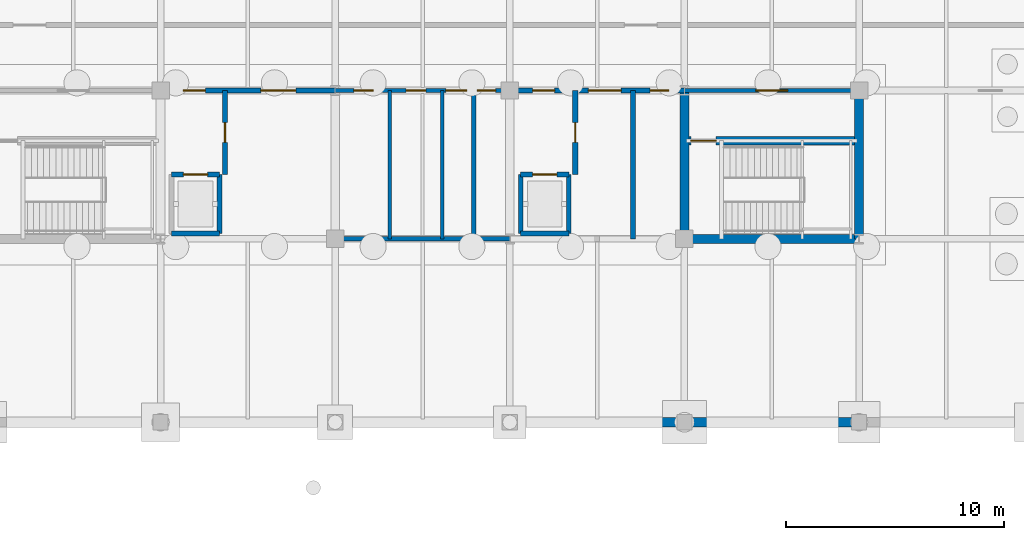
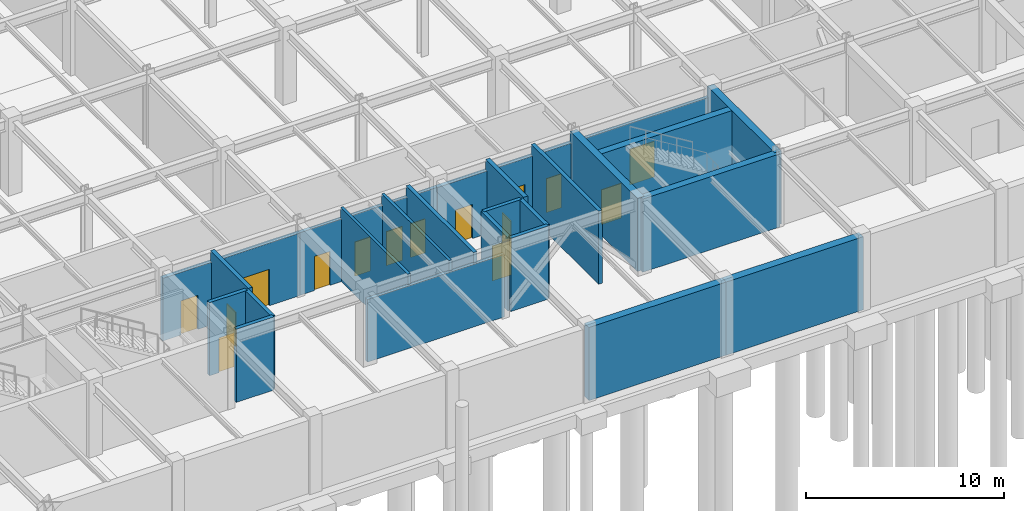
# One storey, part 40 of 53: 24 walls, 15 doors, 15 openings.
"""IFC4 building model written with IfcOpenShell, lengths in metres."""

from ifc_helpers import new_model, si_unit, direction, frame, frame_2d, origin, place, context, subcontext, project, spatial, rectangle, extrude, material, layer, layer_set, type_object, element, fill, save


model = new_model("IFC4")

# Units and contexts
model_context = context("Model", 3, precision=1e-05, world=origin(), true_north=direction((0.0, 1.0)))
body_context = subcontext(model_context, "Body", "Model", "MODEL_VIEW")
ifc_project = project(units=[si_unit("LENGTHUNIT", "METRE"), si_unit("AREAUNIT", "SQUARE_METRE"), si_unit("VOLUMEUNIT", "CUBIC_METRE"), si_unit("PLANEANGLEUNIT", "RADIAN"), si_unit("MASSUNIT", "GRAM", prefix="KILO")], contexts=[model_context])

# Site, building, storey
site_placement = place(None, origin())
site = spatial("IfcSite", under=ifc_project, at=site_placement, CompositionType="ELEMENT")
building_placement = place(site_placement, origin())
building = spatial("IfcBuilding", under=site, at=building_placement, Name="Shalkamar Park Central Library", CompositionType="ELEMENT")
storey_placement = place(building_placement, frame((0.0, 0.0, -4.800048828125)))
storey = spatial("IfcBuildingStorey", under=building, at=storey_placement, Name="B1", CompositionType="ELEMENT", Elevation=-4.800048828125)

# Walls
ifc_material_1 = material(Name="Concrete C40/50", Category="concrete")
ifc_layer_1 = layer(ifc_material_1, 0.449951171875)
ifc_layer_set_1 = layer_set([ifc_layer_1], Name="Concrete C40/50")
wall_type_1 = type_object("IfcWallType", Name="Basement Retaining Shear Wall 450", PredefinedType="SHEAR", material=ifc_layer_set_1)
for number, where, z_axis, x_axis, name in (
    (1, (189.0, 240.0, 0.0), (0.0, 0.0, 1.0), (1.0, 0.0, 0.0), "Basement Retaining Wall S-10"),
    (2, (197.0, 240.0, 0.0), (0.0, 0.0, 1.0), (1.0, 0.0, 0.0), "Basement Retaining Wall S-11"),
):
    element("IfcWall", number, at=place(storey_placement, frame(where, z_axis=z_axis, x_axis=x_axis)), inside=storey, type_object=wall_type_1, Name=name, PredefinedType="SHEAR", context=body_context, shape_type="SweptSolid", body=[
        extrude(rectangle(XDim=8.0, YDim=0.449951171875, at=frame_2d((4.0, 0.0))), origin(), (0.0, 0.0, 1.0), 4.510009765625),
    ])

# Wall, opening, door
ifc_material_2 = material(Name="Reinforced fire-compartment masonry wall", Category="masonry")
ifc_layer_2 = layer(ifc_material_2, 0.239990234375)
ifc_layer_set_2 = layer_set([ifc_layer_2], Name="CompartmentWall_240")
wall_type_2 = type_object("IfcWallType", Name="Compartment Wall 240", PredefinedType="PARTITIONING", material=ifc_layer_set_2)
wall_1_placement = place(storey_placement, frame((175.949951171875, 251.35009765625, 0.0), z_axis=(0.0, 0.0, 1.0), x_axis=(0.0, 1.0, 0.0)))
wall_1 = element("IfcWall", 3, at=wall_1_placement, inside=storey, type_object=wall_type_2, Name="Interior Partition WL-INT-B1-001", PredefinedType="PARTITIONING", context=body_context, shape_type="SweptSolid", body=[
    extrude(rectangle(XDim=3.849853515625, YDim=0.239990234375, at=frame_2d((1.9248046875, 0.0))), origin(), (0.0, 0.0, 1.0), 4.510009765625),
])
opening_1_placement = place(wall_1_placement, frame((1.47509765625, 0.0, 0.0)))
opening_1 = element("IfcOpeningElement", 4, at=opening_1_placement, cuts=wall_1, Name="Opening DR-B1-001", PredefinedType="OPENING", context=body_context, shape_type="SweptSolid", body=[
    extrude(rectangle(XDim=0.89990234375, YDim=2.10009765625, at=frame_2d((0.449951171875, 1.050048828125))), frame((0.0, 0.134765625, 0.0), z_axis=(0.0, -1.0, 0.0), x_axis=(1.0, 0.0, 0.0)), (0.0, 0.0, 1.0), 0.269775390625),
])
ifc_material_3 = material(Name="Steel S355", Category="steel")
door_type_1 = type_object("IfcDoorType", Name="Fire Door Single 900x2100", OperationType="NOTDEFINED", PredefinedType="DOOR", material=ifc_material_3)
door_1_placement = place(opening_1_placement, origin())
door_1 = element("IfcDoor", 5, at=door_1_placement, inside=storey, type_object=door_type_1, Name="Fire Lobby Interconnect Door", OperationType="SINGLE_SWING_LEFT", OverallHeight=2.10009765625, OverallWidth=0.89990234375, PredefinedType="DOOR", context=body_context, shape_type="SweptSolid", body=[
    extrude(rectangle(XDim=0.89990234375, YDim=2.10009765625, at=frame_2d((0.449951171875, 1.050048828125))), frame((0.0, 0.02490234375, 0.0), z_axis=(0.0, -1.0, 0.0), x_axis=(1.0, 0.0, 0.0)), (0.0, 0.0, 1.0), 0.050048828125),
])
fill(opening_1, door_1)

wall_2_placement = place(storey_placement, frame((192.0, 251.35009765625, 0.0), z_axis=(0.0, 0.0, 1.0), x_axis=(0.0, 1.0, 0.0)))
wall_2 = element("IfcWall", 6, at=wall_2_placement, inside=storey, type_object=wall_type_2, Name="Interior Partition WL-INT-B1-002", PredefinedType="PARTITIONING", context=body_context, shape_type="SweptSolid", body=[
    extrude(rectangle(XDim=3.849853515625, YDim=0.239990234375, at=frame_2d((1.9248046875, 0.0))), origin(), (0.0, 0.0, 1.0), 4.510009765625),
])
opening_2_placement = place(wall_2_placement, frame((1.47509765625, 0.0, 0.0)))
opening_2 = element("IfcOpeningElement", 7, at=opening_2_placement, cuts=wall_2, Name="Opening DR-B1-002", PredefinedType="OPENING", context=body_context, shape_type="SweptSolid", body=[
    extrude(rectangle(XDim=0.89990234375, YDim=2.10009765625, at=frame_2d((0.449951171875, 1.050048828125))), frame((0.0, 0.134765625, 0.0), z_axis=(0.0, -1.0, 0.0), x_axis=(1.0, 0.0, 0.0)), (0.0, 0.0, 1.0), 0.269775390625),
])
door_2_placement = place(opening_2_placement, frame((0.89990234375, 0.0, 0.0), z_axis=(0.0, 0.0, 1.0), x_axis=(-1.0, 0.0, 0.0)))
door_2 = element("IfcDoor", 8, at=door_2_placement, inside=storey, type_object=door_type_1, Name="Fire Lobby Interconnect Door", OperationType="SINGLE_SWING_LEFT", OverallHeight=2.10009765625, OverallWidth=0.89990234375, PredefinedType="DOOR", context=body_context, shape_type="SweptSolid", body=[
    extrude(rectangle(XDim=0.89990234375, YDim=2.10009765625, at=frame_2d((0.449951171875, 1.050048828125))), frame((0.0, 0.02490234375, 0.0), z_axis=(0.0, -1.0, 0.0), x_axis=(1.0, 0.0, 0.0)), (0.0, 0.0, 1.0), 0.050048828125),
])
fill(opening_2, door_2)

# Wall, openings, doors
wall_3_placement = place(storey_placement, frame((173.0, 255.199951171875, 0.0), z_axis=(0.0, 0.0, 1.0), x_axis=(1.0, 0.0, 0.0)))
wall_3 = element("IfcWall", 9, at=wall_3_placement, inside=storey, type_object=wall_type_2, Name="Interior Partition WL-INT-B1-008", PredefinedType="PARTITIONING", context=body_context, shape_type="SweptSolid", body=[
    extrude(rectangle(XDim=8.0, YDim=0.239990234375, at=frame_2d((4.0, 0.0))), origin(), (0.0, 0.0, 1.0), 3.858154296875),
])
opening_3_placement = place(wall_3_placement, frame((1.050048828125, 0.0, 0.0)))
opening_3 = element("IfcOpeningElement", 10, at=opening_3_placement, cuts=wall_3, Name="Opening DR-B1-003", PredefinedType="OPENING", context=body_context, shape_type="SweptSolid", body=[
    extrude(rectangle(XDim=1.0, YDim=2.10009765625, at=frame_2d((0.5, 1.050048828125))), frame((0.0, 0.134765625, 0.0), z_axis=(0.0, -1.0, 0.0), x_axis=(1.0, 0.0, 0.0)), (0.0, 0.0, 1.0), 0.269775390625),
])
opening_4_placement = place(wall_3_placement, frame((4.60009765625, 0.0, 0.0)))
opening_4 = element("IfcOpeningElement", 11, at=opening_4_placement, cuts=wall_3, Name="Opening DR-B1-004", PredefinedType="OPENING", context=body_context, shape_type="SweptSolid", body=[
    extrude(rectangle(XDim=1.60009765625, YDim=2.25, at=frame_2d((0.800048828125, 1.125))), frame((0.0, 0.134765625, 0.0), z_axis=(0.0, -1.0, 0.0), x_axis=(1.0, 0.0, 0.0)), (0.0, 0.0, 1.0), 0.269775390625),
])
door_type_2 = type_object("IfcDoorType", Name="Fire Door Single 1000x2100", OperationType="NOTDEFINED", PredefinedType="DOOR", material=ifc_material_3)
door_3_placement = place(opening_3_placement, origin())
door_3 = element("IfcDoor", 12, at=door_3_placement, inside=storey, type_object=door_type_2, Name="West Firefighting Lobby Door", OperationType="SINGLE_SWING_LEFT", OverallHeight=2.10009765625, OverallWidth=1.0, PredefinedType="DOOR", context=body_context, shape_type="SweptSolid", body=[
    extrude(rectangle(XDim=1.0, YDim=2.10009765625, at=frame_2d((0.5, 1.050048828125))), frame((0.0, 0.02490234375, 0.0), z_axis=(0.0, -1.0, 0.0), x_axis=(1.0, 0.0, 0.0)), (0.0, 0.0, 1.0), 0.050048828125),
])
fill(opening_3, door_3)
door_type_3 = type_object("IfcDoorType", Name="Interior Door Double 1600x2250", OperationType="DOUBLE_DOOR_SINGLE_SWING", PredefinedType="DOOR", material=ifc_material_3)
door_4_placement = place(opening_4_placement, frame((1.60009765625, 0.0, 0.0), z_axis=(0.0, 0.0, 1.0), x_axis=(-1.0, 0.0, 0.0)))
door_4 = element("IfcDoor", 13, at=door_4_placement, inside=storey, type_object=door_type_3, Name="West Lift Lobby Entrance", OperationType="DOUBLE_DOOR_SINGLE_SWING", OverallHeight=2.25, OverallWidth=1.60009765625, PredefinedType="DOOR", context=body_context, shape_type="SweptSolid", body=[
    extrude(rectangle(XDim=1.60009765625, YDim=2.25, at=frame_2d((0.800048828125, 1.125))), frame((0.0, 0.02490234375, 0.0), z_axis=(0.0, -1.0, 0.0), x_axis=(1.0, 0.0, 0.0)), (0.0, 0.0, 1.0), 0.050048828125),
])
fill(opening_4, door_4)

wall_4_placement = place(storey_placement, frame((189.0, 255.199951171875, 0.0), z_axis=(0.0, 0.0, 1.0), x_axis=(1.0, 0.0, 0.0)))
wall_4 = element("IfcWall", 14, at=wall_4_placement, inside=storey, type_object=wall_type_2, Name="Interior Partition WL-INT-B1-010", PredefinedType="PARTITIONING", context=body_context, shape_type="SweptSolid", body=[
    extrude(rectangle(XDim=8.0, YDim=0.239990234375, at=frame_2d((4.0, 0.0))), origin(), (0.0, 0.0, 1.0), 3.858154296875),
])
opening_5_placement = place(wall_4_placement, frame((1.050048828125, 0.0, 0.0)))
opening_5 = element("IfcOpeningElement", 15, at=opening_5_placement, cuts=wall_4, Name="Opening DR-B1-009", PredefinedType="OPENING", context=body_context, shape_type="SweptSolid", body=[
    extrude(rectangle(XDim=1.0, YDim=2.10009765625, at=frame_2d((0.5, 1.050048828125))), frame((0.0, 0.134765625, 0.0), z_axis=(0.0, -1.0, 0.0), x_axis=(1.0, 0.0, 0.0)), (0.0, 0.0, 1.0), 0.269775390625),
])
opening_6_placement = place(wall_4_placement, frame((3.60009765625, 0.0, 0.0)))
opening_6 = element("IfcOpeningElement", 16, at=opening_6_placement, cuts=wall_4, Name="Opening DR-B1-010", PredefinedType="OPENING", context=body_context, shape_type="SweptSolid", body=[
    extrude(rectangle(XDim=1.5, YDim=2.25, at=frame_2d((0.75, 1.125))), frame((0.0, 0.134765625, 0.0), z_axis=(0.0, -1.0, 0.0), x_axis=(1.0, 0.0, 0.0)), (0.0, 0.0, 1.0), 0.269775390625),
])
opening_7_placement = place(wall_4_placement, frame((6.425048828125, 0.0, 0.0)))
opening_7 = element("IfcOpeningElement", 17, at=opening_7_placement, cuts=wall_4, Name="Opening DR-B1-011", PredefinedType="OPENING", context=body_context, shape_type="SweptSolid", body=[
    extrude(rectangle(XDim=0.85009765625, YDim=2.10009765625, at=frame_2d((0.425048828125, 1.050048828125))), frame((0.0, 0.134765625, 0.0), z_axis=(0.0, -1.0, 0.0), x_axis=(1.0, 0.0, 0.0)), (0.0, 0.0, 1.0), 0.269775390625),
])
door_type_4 = type_object("IfcDoorType", Name="Fire Door Riser 850x2100", OperationType="NOTDEFINED", PredefinedType="DOOR", material=ifc_material_3)
door_5_placement = place(opening_7_placement, frame((0.85009765625, 0.0, 0.0), z_axis=(0.0, 0.0, 1.0), x_axis=(-1.0, 0.0, 0.0)))
door_5 = element("IfcDoor", 18, at=door_5_placement, inside=storey, type_object=door_type_4, Name="Mechanical Riser Access Door", OperationType="SINGLE_SWING_LEFT", OverallHeight=2.10009765625, OverallWidth=0.85009765625, PredefinedType="DOOR", context=body_context, shape_type="SweptSolid", body=[
    extrude(rectangle(XDim=0.85009765625, YDim=2.10009765625, at=frame_2d((0.425048828125, 1.050048828125))), frame((0.0, 0.02490234375, 0.0), z_axis=(0.0, -1.0, 0.0), x_axis=(1.0, 0.0, 0.0)), (0.0, 0.0, 1.0), 0.050048828125),
])
fill(opening_7, door_5)
door_6_placement = place(opening_5_placement, origin())
door_6 = element("IfcDoor", 19, at=door_6_placement, inside=storey, type_object=door_type_2, Name="East Firefighting Lobby Door", OperationType="SINGLE_SWING_LEFT", OverallHeight=2.10009765625, OverallWidth=1.0, PredefinedType="DOOR", context=body_context, shape_type="SweptSolid", body=[
    extrude(rectangle(XDim=1.0, YDim=2.10009765625, at=frame_2d((0.5, 1.050048828125))), frame((0.0, 0.02490234375, 0.0), z_axis=(0.0, -1.0, 0.0), x_axis=(1.0, 0.0, 0.0)), (0.0, 0.0, 1.0), 0.050048828125),
])
fill(opening_5, door_6)
door_type_5 = type_object("IfcDoorType", Name="Interior Door Double 1500x2250", OperationType="DOUBLE_DOOR_SINGLE_SWING", PredefinedType="DOOR", material=ifc_material_3)
door_7_placement = place(opening_6_placement, origin())
door_7 = element("IfcDoor", 20, at=door_7_placement, inside=storey, type_object=door_type_5, Name="East Lift Lobby Entrance", OperationType="DOUBLE_DOOR_SINGLE_SWING", OverallHeight=2.25, OverallWidth=1.5, PredefinedType="DOOR", context=body_context, shape_type="SweptSolid", body=[
    extrude(rectangle(XDim=1.5, YDim=2.25, at=frame_2d((0.75, 1.125))), frame((0.0, 0.02490234375, 0.0), z_axis=(0.0, -1.0, 0.0), x_axis=(1.0, 0.0, 0.0)), (0.0, 0.0, 1.0), 0.050048828125),
])
fill(opening_6, door_7)

# Wall, opening, door
ifc_material_4 = material(Name="Fire-rated corridor partition wall", Category="masonry")
ifc_layer_3 = layer(ifc_material_4, 0.199951171875)
ifc_layer_set_3 = layer_set([ifc_layer_3], Name="CorridorFireWall_200")
wall_type_3 = type_object("IfcWallType", Name="Corridor Fire Wall 200", PredefinedType="PARTITIONING", material=ifc_layer_set_3)
wall_5_placement = place(storey_placement, frame((197.0, 255.199951171875, 0.0), z_axis=(0.0, 0.0, 1.0), x_axis=(1.0, 0.0, 0.0)))
wall_5 = element("IfcWall", 21, at=wall_5_placement, inside=storey, type_object=wall_type_3, Name="CORE-T2 Vestibule North Wall (B1)", PredefinedType="PARTITIONING", context=body_context, shape_type="SweptSolid", body=[
    extrude(rectangle(XDim=8.0, YDim=0.199951171875, at=frame_2d((4.0, 0.0))), origin(), (0.0, 0.0, 1.0), 3.858154296875),
])
opening_8_placement = place(wall_5_placement, frame((3.27490234375, 0.0, 0.0)))
opening_8 = element("IfcOpeningElement", 22, at=opening_8_placement, cuts=wall_5, Name="Opening DR-ST-T2-B1-VEST", PredefinedType="OPENING", context=body_context, shape_type="SweptSolid", body=[
    extrude(rectangle(XDim=1.449951171875, YDim=2.199951171875, at=frame_2d((0.72509765625, 1.10009765625))), frame((0.0, 0.11474609375, 0.0), z_axis=(0.0, -1.0, 0.0), x_axis=(1.0, 0.0, 0.0)), (0.0, 0.0, 1.0), 0.229736328125),
])
door_type_6 = type_object("IfcDoorType", Name="Stair Vestibule Door 1450x2200", OperationType="DOUBLE_DOOR_SINGLE_SWING", PredefinedType="DOOR", material=ifc_material_3)
door_8_placement = place(opening_8_placement, frame((1.449951171875, 0.0, 0.0), z_axis=(0.0, 0.0, 1.0), x_axis=(-1.0, 0.0, 0.0)))
door_8 = element("IfcDoor", 23, at=door_8_placement, inside=storey, type_object=door_type_6, Name="Protected Stair ST-T2 Vestibule Door (B1)", OperationType="DOUBLE_DOOR_SINGLE_SWING", OverallHeight=2.199951171875, OverallWidth=1.449951171875, PredefinedType="DOOR", context=body_context, shape_type="SweptSolid", body=[
    extrude(rectangle(XDim=1.449951171875, YDim=2.199951171875, at=frame_2d((0.72509765625, 1.10009765625))), frame((0.0, 0.02490234375, 0.0), z_axis=(0.0, -1.0, 0.0), x_axis=(1.0, 0.0, 0.0)), (0.0, 0.0, 1.0), 0.050048828125),
])
fill(opening_8, door_8)

# Wall
wall_6_placement = place(storey_placement, frame((181.0, 248.39990234375, 0.0), z_axis=(0.0, 0.0, 1.0), x_axis=(1.0, 0.0, 0.0)))
element("IfcWall", 24, at=wall_6_placement, inside=storey, type_object=wall_type_3, Name="Interior Partition WL-INT-B1-007", PredefinedType="PARTITIONING", context=body_context, shape_type="SweptSolid", body=[
    extrude(rectangle(XDim=8.0, YDim=0.199951171875, at=frame_2d((4.0, 0.0))), origin(), (0.0, 0.0, 1.0), 3.858154296875),
])

# Wall, openings, doors
wall_7_placement = place(storey_placement, frame((181.0, 255.199951171875, 0.0), z_axis=(0.0, 0.0, 1.0), x_axis=(1.0, 0.0, 0.0)))
wall_7 = element("IfcWall", 25, at=wall_7_placement, inside=storey, type_object=wall_type_3, Name="Interior Partition WL-INT-B1-009", PredefinedType="PARTITIONING", context=body_context, shape_type="SweptSolid", body=[
    extrude(rectangle(XDim=8.0, YDim=0.199951171875, at=frame_2d((4.0, 0.0))), origin(), (0.0, 0.0, 1.0), 3.858154296875),
])
opening_9_placement = place(wall_7_placement, frame((0.85009765625, 0.0, 0.0)))
opening_9 = element("IfcOpeningElement", 26, at=opening_9_placement, cuts=wall_7, Name="Opening DR-B1-005", PredefinedType="OPENING", context=body_context, shape_type="SweptSolid", body=[
    extrude(rectangle(XDim=0.89990234375, YDim=2.10009765625, at=frame_2d((0.449951171875, 1.050048828125))), frame((0.0, 0.11474609375, 0.0), z_axis=(0.0, -1.0, 0.0), x_axis=(1.0, 0.0, 0.0)), (0.0, 0.0, 1.0), 0.229736328125),
])
opening_10_placement = place(wall_7_placement, frame((3.25, 0.0, 0.0)))
opening_10 = element("IfcOpeningElement", 27, at=opening_10_placement, cuts=wall_7, Name="Opening DR-B1-006", PredefinedType="OPENING", context=body_context, shape_type="SweptSolid", body=[
    extrude(rectangle(XDim=0.89990234375, YDim=2.10009765625, at=frame_2d((0.449951171875, 1.050048828125))), frame((0.0, 0.11474609375, 0.0), z_axis=(0.0, -1.0, 0.0), x_axis=(1.0, 0.0, 0.0)), (0.0, 0.0, 1.0), 0.229736328125),
])
opening_11_placement = place(wall_7_placement, frame((5.074951171875, 0.0, 0.0)))
opening_11 = element("IfcOpeningElement", 28, at=opening_11_placement, cuts=wall_7, Name="Opening DR-B1-007", PredefinedType="OPENING", context=body_context, shape_type="SweptSolid", body=[
    extrude(rectangle(XDim=0.949951171875, YDim=2.10009765625, at=frame_2d((0.47509765625, 1.050048828125))), frame((0.0, 0.11474609375, 0.0), z_axis=(0.0, -1.0, 0.0), x_axis=(1.0, 0.0, 0.0)), (0.0, 0.0, 1.0), 0.229736328125),
])
opening_12_placement = place(wall_7_placement, frame((6.5, 0.0, 0.0)))
opening_12 = element("IfcOpeningElement", 29, at=opening_12_placement, cuts=wall_7, Name="Opening DR-B1-008", PredefinedType="OPENING", context=body_context, shape_type="SweptSolid", body=[
    extrude(rectangle(XDim=0.85009765625, YDim=2.10009765625, at=frame_2d((0.425048828125, 1.050048828125))), frame((0.0, 0.11474609375, 0.0), z_axis=(0.0, -1.0, 0.0), x_axis=(1.0, 0.0, 0.0)), (0.0, 0.0, 1.0), 0.229736328125),
])
door_9_placement = place(opening_12_placement, frame((0.85009765625, 0.0, 0.0), z_axis=(0.0, 0.0, 1.0), x_axis=(-1.0, 0.0, 0.0)))
door_9 = element("IfcDoor", 30, at=door_9_placement, inside=storey, type_object=door_type_4, Name="Electrical Riser Access Door", OperationType="SINGLE_SWING_LEFT", OverallHeight=2.10009765625, OverallWidth=0.85009765625, PredefinedType="DOOR", context=body_context, shape_type="SweptSolid", body=[
    extrude(rectangle(XDim=0.85009765625, YDim=2.10009765625, at=frame_2d((0.425048828125, 1.050048828125))), frame((0.0, 0.02490234375, 0.0), z_axis=(0.0, -1.0, 0.0), x_axis=(1.0, 0.0, 0.0)), (0.0, 0.0, 1.0), 0.050048828125),
])
fill(opening_12, door_9)
door_type_7 = type_object("IfcDoorType", Name="Interior Door Single 900x2100", OperationType="NOTDEFINED", PredefinedType="DOOR", material=ifc_material_3)
door_10_placement = place(opening_9_placement, frame((0.89990234375, 0.0, 0.0), z_axis=(0.0, 0.0, 1.0), x_axis=(-1.0, 0.0, 0.0)))
door_10 = element("IfcDoor", 31, at=door_10_placement, inside=storey, type_object=door_type_7, Name="Male WC Door", OperationType="SINGLE_SWING_RIGHT", OverallHeight=2.10009765625, OverallWidth=0.89990234375, PredefinedType="DOOR", context=body_context, shape_type="SweptSolid", body=[
    extrude(rectangle(XDim=0.89990234375, YDim=2.10009765625, at=frame_2d((0.449951171875, 1.050048828125))), frame((0.0, 0.02490234375, 0.0), z_axis=(0.0, -1.0, 0.0), x_axis=(1.0, 0.0, 0.0)), (0.0, 0.0, 1.0), 0.050048828125),
])
fill(opening_9, door_10)
door_11_placement = place(opening_10_placement, frame((0.89990234375, 0.0, 0.0), z_axis=(0.0, 0.0, 1.0), x_axis=(-1.0, 0.0, 0.0)))
door_11 = element("IfcDoor", 32, at=door_11_placement, inside=storey, type_object=door_type_7, Name="Female WC Door", OperationType="SINGLE_SWING_RIGHT", OverallHeight=2.10009765625, OverallWidth=0.89990234375, PredefinedType="DOOR", context=body_context, shape_type="SweptSolid", body=[
    extrude(rectangle(XDim=0.89990234375, YDim=2.10009765625, at=frame_2d((0.449951171875, 1.050048828125))), frame((0.0, 0.02490234375, 0.0), z_axis=(0.0, -1.0, 0.0), x_axis=(1.0, 0.0, 0.0)), (0.0, 0.0, 1.0), 0.050048828125),
])
fill(opening_10, door_11)
door_type_8 = type_object("IfcDoorType", Name="Interior Door Single 950x2100", OperationType="NOTDEFINED", PredefinedType="DOOR", material=ifc_material_3)
door_12_placement = place(opening_11_placement, frame((0.949951171875, 0.0, 0.0), z_axis=(0.0, 0.0, 1.0), x_axis=(-1.0, 0.0, 0.0)))
door_12 = element("IfcDoor", 33, at=door_12_placement, inside=storey, type_object=door_type_8, Name="Universal Accessible WC Door", OperationType="SINGLE_SWING_LEFT", OverallHeight=2.10009765625, OverallWidth=0.949951171875, PredefinedType="DOOR", context=body_context, shape_type="SweptSolid", body=[
    extrude(rectangle(XDim=0.949951171875, YDim=2.10009765625, at=frame_2d((0.47509765625, 1.050048828125))), frame((0.0, 0.02490234375, 0.0), z_axis=(0.0, -1.0, 0.0), x_axis=(1.0, 0.0, 0.0)), (0.0, 0.0, 1.0), 0.050048828125),
])
fill(opening_11, door_12)

# Walls
ifc_layer_4 = layer(ifc_material_1, 0.219970703125)
ifc_layer_set_4 = layer_set([ifc_layer_4], Name="Concrete C40/50")
wall_type_4 = type_object("IfcWallType", Name="Lift Hoistway Shear Wall 220", PredefinedType="SHEAR", material=ifc_layer_set_4)
wall_8_placement = place(storey_placement, frame((173.5, 248.64990234375, 0.0), z_axis=(0.0, 0.0, 1.0), x_axis=(1.0, 0.0, 0.0)))
element("IfcWall", 34, at=wall_8_placement, inside=storey, type_object=wall_type_4, Name="Lift FFL-01 Hoistway South Wall (B1)", PredefinedType="SHEAR", context=body_context, shape_type="SweptSolid", body=[
    extrude(rectangle(XDim=2.199951171875, YDim=0.219970703125, at=frame_2d((1.10009765625, 0.0))), origin(), (0.0, 0.0, 1.0), 4.510009765625),
])
wall_9_placement = place(storey_placement, frame((175.699951171875, 248.64990234375, 0.0), z_axis=(0.0, 0.0, 1.0), x_axis=(0.0, 1.0, 0.0)))
element("IfcWall", 35, at=wall_9_placement, inside=storey, type_object=wall_type_4, Name="Lift FFL-01 Hoistway East Wall (B1)", PredefinedType="SHEAR", context=body_context, shape_type="SweptSolid", body=[
    extrude(rectangle(XDim=2.7001953125, YDim=0.219970703125, at=frame_2d((1.35009765625, 0.0))), origin(), (0.0, 0.0, 1.0), 4.510009765625),
])

# Wall, opening, door
wall_10_placement = place(storey_placement, frame((173.5, 251.35009765625, 0.0), z_axis=(0.0, 0.0, 1.0), x_axis=(1.0, 0.0, 0.0)))
wall_10 = element("IfcWall", 36, at=wall_10_placement, inside=storey, type_object=wall_type_4, Name="Lift FFL-01 Hoistway Front Wall (B1)", PredefinedType="SHEAR", context=body_context, shape_type="SweptSolid", body=[
    extrude(rectangle(XDim=2.199951171875, YDim=0.219970703125, at=frame_2d((1.10009765625, 0.0))), origin(), (0.0, 0.0, 1.0), 4.510009765625),
])
opening_13_placement = place(wall_10_placement, frame((0.550048828125, 0.0, 0.0)))
opening_13 = element("IfcOpeningElement", 37, at=opening_13_placement, cuts=wall_10, Name="Opening LD-FFL-01-B1", PredefinedType="OPENING", context=body_context, shape_type="SweptSolid", body=[
    extrude(rectangle(XDim=1.10009765625, YDim=2.14990234375, at=frame_2d((0.550048828125, 1.074951171875))), frame((0.0, 0.125, 0.0), z_axis=(0.0, -1.0, 0.0), x_axis=(1.0, 0.0, 0.0)), (0.0, 0.0, 1.0), 0.249755859375),
])
door_type_9 = type_object("IfcDoorType", Name="Fire Lift Landing Door 1100x2150", OperationType="DOUBLE_DOOR_SLIDING", PredefinedType="USERDEFINED", material=ifc_material_3)
door_13_placement = place(opening_13_placement, origin())
door_13 = element("IfcDoor", 38, at=door_13_placement, inside=storey, type_object=door_type_9, Name="Lift FFL-01 Sliding Landing Door (B1)", ObjectType="SLIDING LANDING DOOR", OperationType="DOUBLE_DOOR_SLIDING", OverallHeight=2.14990234375, OverallWidth=1.10009765625, PredefinedType="USERDEFINED", context=body_context, shape_type="SweptSolid", body=[
    extrude(rectangle(XDim=1.10009765625, YDim=2.14990234375, at=frame_2d((0.550048828125, 1.074951171875))), frame((0.0, 0.02490234375, 0.0), z_axis=(0.0, -1.0, 0.0), x_axis=(1.0, 0.0, 0.0)), (0.0, 0.0, 1.0), 0.050048828125),
])
fill(opening_13, door_13)

# Walls
wall_11_placement = place(storey_placement, frame((189.5, 248.64990234375, 0.0), z_axis=(0.0, 0.0, 1.0), x_axis=(1.0, 0.0, 0.0)))
element("IfcWall", 39, at=wall_11_placement, inside=storey, type_object=wall_type_4, Name="Lift FFL-02 Hoistway South Wall (B1)", PredefinedType="SHEAR", context=body_context, shape_type="SweptSolid", body=[
    extrude(rectangle(XDim=2.199951171875, YDim=0.219970703125, at=frame_2d((1.10009765625, 0.0))), origin(), (0.0, 0.0, 1.0), 4.510009765625),
])
for number, where, z_axis, x_axis, name in (
    (40, (189.5, 248.64990234375, 0.0), (0.0, 0.0, 1.0), (0.0, 1.0, 0.0), "Lift FFL-02 Hoistway West Wall (B1)"),
    (41, (191.699951171875, 248.64990234375, 0.0), (0.0, 0.0, 1.0), (0.0, 1.0, 0.0), "Lift FFL-02 Hoistway East Wall (B1)"),
):
    element("IfcWall", number, at=place(storey_placement, frame(where, z_axis=z_axis, x_axis=x_axis)), inside=storey, type_object=wall_type_4, Name=name, PredefinedType="SHEAR", context=body_context, shape_type="SweptSolid", body=[
        extrude(rectangle(XDim=2.7001953125, YDim=0.219970703125, at=frame_2d((1.35009765625, 0.0))), origin(), (0.0, 0.0, 1.0), 4.510009765625),
    ])

# Wall, opening, door
wall_12_placement = place(storey_placement, frame((189.5, 251.35009765625, 0.0), z_axis=(0.0, 0.0, 1.0), x_axis=(1.0, 0.0, 0.0)))
wall_12 = element("IfcWall", 42, at=wall_12_placement, inside=storey, type_object=wall_type_4, Name="Lift FFL-02 Hoistway Front Wall (B1)", PredefinedType="SHEAR", context=body_context, shape_type="SweptSolid", body=[
    extrude(rectangle(XDim=2.199951171875, YDim=0.219970703125, at=frame_2d((1.10009765625, 0.0))), origin(), (0.0, 0.0, 1.0), 4.510009765625),
])
opening_14_placement = place(wall_12_placement, frame((0.550048828125, 0.0, 0.0)))
opening_14 = element("IfcOpeningElement", 43, at=opening_14_placement, cuts=wall_12, Name="Opening LD-FFL-02-B1", PredefinedType="OPENING", context=body_context, shape_type="SweptSolid", body=[
    extrude(rectangle(XDim=1.10009765625, YDim=2.14990234375, at=frame_2d((0.550048828125, 1.074951171875))), frame((0.0, 0.125, 0.0), z_axis=(0.0, -1.0, 0.0), x_axis=(1.0, 0.0, 0.0)), (0.0, 0.0, 1.0), 0.249755859375),
])
door_14_placement = place(opening_14_placement, origin())
door_14 = element("IfcDoor", 44, at=door_14_placement, inside=storey, type_object=door_type_9, Name="Lift FFL-02 Sliding Landing Door (B1)", ObjectType="SLIDING LANDING DOOR", OperationType="DOUBLE_DOOR_SLIDING", OverallHeight=2.14990234375, OverallWidth=1.10009765625, PredefinedType="USERDEFINED", context=body_context, shape_type="SweptSolid", body=[
    extrude(rectangle(XDim=1.10009765625, YDim=2.14990234375, at=frame_2d((0.550048828125, 1.074951171875))), frame((0.0, 0.02490234375, 0.0), z_axis=(0.0, -1.0, 0.0), x_axis=(1.0, 0.0, 0.0)), (0.0, 0.0, 1.0), 0.050048828125),
])
fill(opening_14, door_14)

# Walls
ifc_material_5 = material(Name="Moisture-resistant sanitary partition", Category="masonry")
ifc_layer_5 = layer(ifc_material_5, 0.159912109375)
ifc_layer_set_5 = layer_set([ifc_layer_5], Name="PlumbingChaseWall_160")
wall_type_5 = type_object("IfcWallType", Name="Plumbing Chase Wall 160", PredefinedType="PARTITIONING", material=ifc_layer_set_5)
for number, where, z_axis, x_axis, name in (
    (45, (183.5, 248.39990234375, 0.0), (0.0, 0.0, 1.0), (0.0, 1.0, 0.0), "Interior Partition WL-INT-B1-004"),
    (46, (185.89990234375, 248.39990234375, 0.0), (0.0, 0.0, 1.0), (0.0, 1.0, 0.0), "Interior Partition WL-INT-B1-005"),
):
    element("IfcWall", number, at=place(storey_placement, frame(where, z_axis=z_axis, x_axis=x_axis)), inside=storey, type_object=wall_type_5, Name=name, PredefinedType="PARTITIONING", context=body_context, shape_type="SweptSolid", body=[
        extrude(rectangle(XDim=6.800048828125, YDim=0.159912109375, at=frame_2d((3.39990234375, 0.0))), origin(), (0.0, 0.0, 1.0), 4.510009765625),
    ])
ifc_material_6 = material(Name="Fire-rated shaft enclosure wall", Category="masonry")
ifc_layer_6 = layer(ifc_material_6, 0.219970703125)
ifc_layer_set_6 = layer_set([ifc_layer_6], Name="ShaftWall_220")
wall_type_6 = type_object("IfcWallType", Name="Shaft Wall 220", PredefinedType="PARTITIONING", material=ifc_layer_set_6)
for number, where, z_axis, x_axis, name in (
    (47, (194.64990234375, 248.39990234375, 0.0), (0.0, 0.0, 1.0), (0.0, 1.0, 0.0), "Interior Partition WL-INT-B1-003"),
    (48, (187.35009765625, 248.39990234375, 0.0), (0.0, 0.0, 1.0), (0.0, 1.0, 0.0), "Interior Partition WL-INT-B1-006"),
):
    element("IfcWall", number, at=place(storey_placement, frame(where, z_axis=z_axis, x_axis=x_axis)), inside=storey, type_object=wall_type_6, Name=name, PredefinedType="PARTITIONING", context=body_context, shape_type="SweptSolid", body=[
        extrude(rectangle(XDim=6.800048828125, YDim=0.219970703125, at=frame_2d((3.39990234375, 0.0))), origin(), (0.0, 0.0, 1.0), 4.510009765625),
    ])
ifc_layer_7 = layer(ifc_material_1, 0.39990234375)
ifc_layer_set_7 = layer_set([ifc_layer_7], Name="Concrete C40/50")
wall_type_7 = type_object("IfcWallType", Name="Tower Core Shear Wall 400", PredefinedType="SHEAR", material=ifc_layer_set_7)
wall_13_placement = place(storey_placement, frame((197.0, 248.39990234375, 0.0), z_axis=(0.0, 0.0, 1.0), x_axis=(1.0, 0.0, 0.0)))
element("IfcWall", 49, at=wall_13_placement, inside=storey, type_object=wall_type_7, Name="CORE-T2 South Shear Wall (B1)", PredefinedType="SHEAR", context=body_context, shape_type="SweptSolid", body=[
    extrude(rectangle(XDim=8.0, YDim=0.39990234375, at=frame_2d((4.0, 0.0))), origin(), (0.0, 0.0, 1.0), 4.510009765625),
])
for number, where, z_axis, x_axis, name in (
    (50, (197.0, 248.39990234375, 0.0), (0.0, 0.0, 1.0), (0.0, 1.0, 0.0), "CORE-T2 West Shear Wall (B1)"),
    (51, (205.0, 248.39990234375, 0.0), (0.0, 0.0, 1.0), (0.0, 1.0, 0.0), "CORE-T2 East Shear Wall (B1)"),
):
    element("IfcWall", number, at=place(storey_placement, frame(where, z_axis=z_axis, x_axis=x_axis)), inside=storey, type_object=wall_type_7, Name=name, PredefinedType="SHEAR", context=body_context, shape_type="SweptSolid", body=[
        extrude(rectangle(XDim=6.800048828125, YDim=0.39990234375, at=frame_2d((3.39990234375, 0.0))), origin(), (0.0, 0.0, 1.0), 4.510009765625),
    ])

# Wall, opening, door
wall_14_placement = place(storey_placement, frame((197.0, 252.89990234375, 0.0), z_axis=(0.0, 0.0, 1.0), x_axis=(1.0, 0.0, 0.0)))
wall_14 = element("IfcWall", 52, at=wall_14_placement, inside=storey, type_object=wall_type_7, Name="CORE-T2 Stairwell Wall (B1)", PredefinedType="SHEAR", context=body_context, shape_type="SweptSolid", body=[
    extrude(rectangle(XDim=8.0, YDim=0.39990234375, at=frame_2d((4.0, 0.0))), origin(), (0.0, 0.0, 1.0), 4.510009765625),
])
opening_15_placement = place(wall_14_placement, frame((0.300048828125, 0.0, 0.0)))
opening_15 = element("IfcOpeningElement", 53, at=opening_15_placement, cuts=wall_14, Name="Opening DR-ST-T2-B1-IN", PredefinedType="OPENING", context=body_context, shape_type="SweptSolid", body=[
    extrude(rectangle(XDim=1.14990234375, YDim=2.14990234375, at=frame_2d((0.574951171875, 1.074951171875))), frame((0.0, 0.21484375, 0.0), z_axis=(0.0, -1.0, 0.0), x_axis=(1.0, 0.0, 0.0)), (0.0, 0.0, 1.0), 0.4296875),
])
door_type_10 = type_object("IfcDoorType", Name="Stair Core Exit Door 1150x2150", OperationType="NOTDEFINED", PredefinedType="DOOR", material=ifc_material_3)
door_15_placement = place(opening_15_placement, frame((1.14990234375, 0.0, 0.0), z_axis=(0.0, 0.0, 1.0), x_axis=(-1.0, 0.0, 0.0)))
door_15 = element("IfcDoor", 54, at=door_15_placement, inside=storey, type_object=door_type_10, Name="Protected Stair ST-T2 Exit Door (B1)", OperationType="SINGLE_SWING_RIGHT", OverallHeight=2.14990234375, OverallWidth=1.14990234375, PredefinedType="DOOR", context=body_context, shape_type="SweptSolid", body=[
    extrude(rectangle(XDim=1.14990234375, YDim=2.14990234375, at=frame_2d((0.574951171875, 1.074951171875))), frame((0.0, 0.02490234375, 0.0), z_axis=(0.0, -1.0, 0.0), x_axis=(1.0, 0.0, 0.0)), (0.0, 0.0, 1.0), 0.050048828125),
])
fill(opening_15, door_15)

save(model, "model.ifc")
